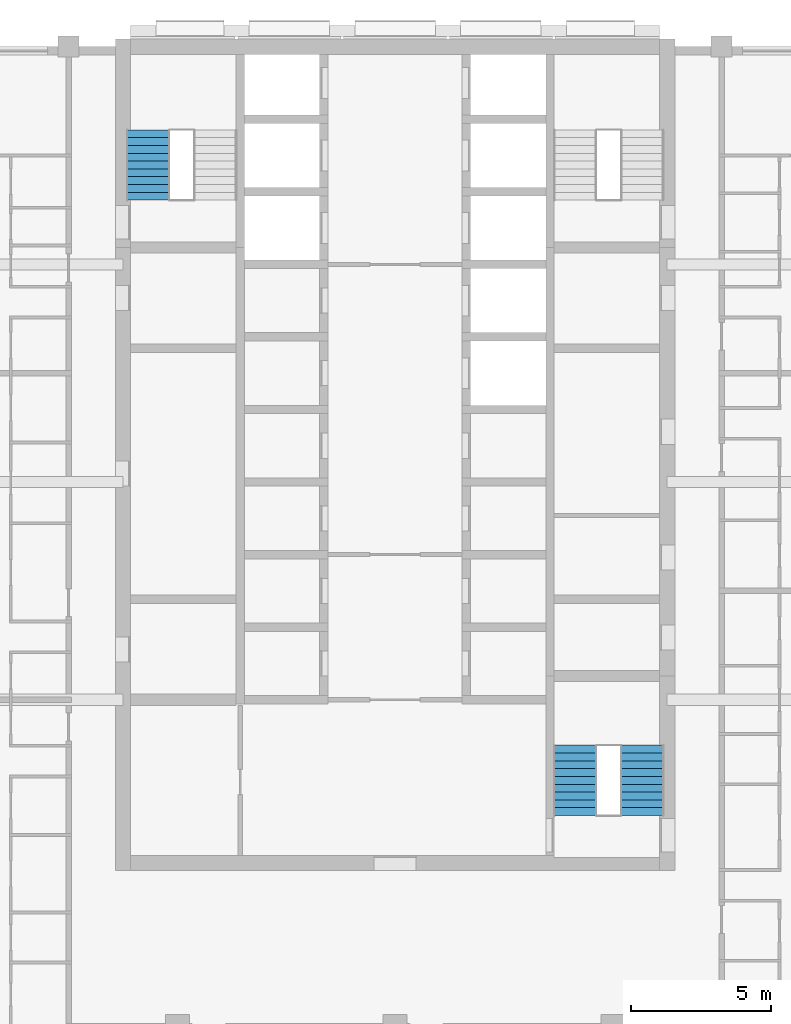
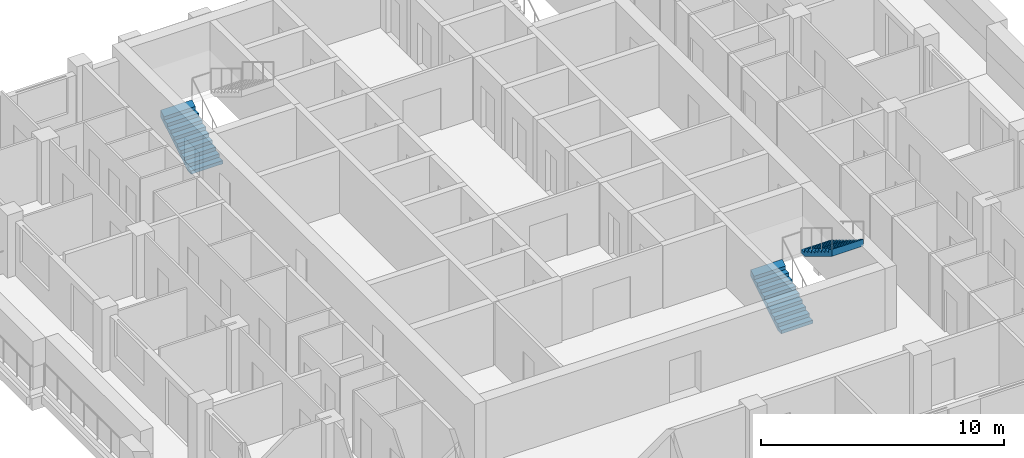
# One storey, part 10 of 13: 3 stair flights, 2 elements without a shape of their own.
"""IFC4 building model written with IfcOpenShell, lengths in metres."""

from ifc_helpers import new_model, si_unit, direction, frame, origin, place, context, subcontext, project, spatial, triangles, material, type_object, element, aggregate, save


model = new_model("IFC4")

# Units and contexts
model_context = context("Model", 3, precision=1e-05, world=origin(), true_north=direction((0.0, 1.0)))
body_context = subcontext(model_context, "Body", "Model", "MODEL_VIEW")
ifc_project = project(units=[si_unit("LENGTHUNIT", "METRE"), si_unit("AREAUNIT", "SQUARE_METRE"), si_unit("VOLUMEUNIT", "CUBIC_METRE"), si_unit("PLANEANGLEUNIT", "RADIAN"), si_unit("MASSUNIT", "GRAM", prefix="KILO")], contexts=[model_context])

# Site, building, storey
site_placement = place(None, origin())
site = spatial("IfcSite", under=ifc_project, at=site_placement, CompositionType="ELEMENT")
building_placement = place(site_placement, origin())
building = spatial("IfcBuilding", under=site, at=building_placement, Name="Ludao Terraces", CompositionType="ELEMENT")
storey_placement = place(building_placement, frame((0.0, 0.0, 148.60009765625)))
storey = spatial("IfcBuildingStorey", under=building, at=storey_placement, Name="L40", CompositionType="ELEMENT", Elevation=148.60009765625)

# Stair, stair flight
ifc_material = material(Name="Concrete C40", Category="concrete")
stair_type = type_object("IfcStairType", Name="INT Stair", PredefinedType="HALF_TURN_STAIR", material=ifc_material)
stair_1_placement = place(storey_placement, origin())
stair_1 = element("IfcStair", 1, at=stair_1_placement, inside=storey, type_object=stair_type, Name="EXIT STAIR 1", PredefinedType="HALF_TURN_STAIR")
stair_flight_type = type_object("IfcStairFlightType", Name="INT Stair flight", PredefinedType="STRAIGHT", material=ifc_material)
stair_flight_1_placement = place(storey_placement, frame((76.14990234375, 79.0, 0.0), z_axis=(0.0, 0.0, 1.0), x_axis=(0.0, 1.0, 0.0)))
stair_flight_1 = element("IfcStairFlight", 2, at=stair_flight_1_placement, type_object=stair_flight_type, Name="ST1 flight 1", NumberOfRisers=10, NumberOfTreads=9, PredefinedType="STRAIGHT", RiserHeight=0.17, TreadLength=0.28, context=body_context, shape_type="Tessellation", body=[
    triangles([(0.0, -0.75, 0.0), (0.0, -0.5, 0.0), (0.0, -0.25, 0.0), (0.0, 0.0, 0.0), (0.0, 0.25, 0.0), (0.0, 0.5, 0.0), (0.0, 0.75, 0.0), (0.0, -0.75, 0.169921875), (0.0, -0.5, 0.169921875), (0.0, -0.25, 0.169921875), (0.0, 0.0, 0.169921875), (0.0, 0.25, 0.169921875), (0.0, 0.5, 0.169921875), (0.0, 0.75, 0.169921875), (0.280029296875, -0.75, 0.169921875), (0.280029296875, -0.5, 0.169921875), (0.280029296875, -0.25, 0.169921875), (0.280029296875, 0.0, 0.169921875), (0.280029296875, 0.25, 0.169921875), (0.280029296875, 0.5, 0.169921875), (0.280029296875, 0.75, 0.169921875), (0.280029296875, -0.75, 0.340087890625), (0.280029296875, -0.5, 0.340087890625), (0.280029296875, -0.25, 0.340087890625), (0.280029296875, 0.0, 0.340087890625), (0.280029296875, 0.25, 0.340087890625), (0.280029296875, 0.5, 0.340087890625), (0.280029296875, 0.75, 0.340087890625), (0.56005859375, -0.75, 0.340087890625), (0.56005859375, -0.5, 0.340087890625), (0.56005859375, -0.25, 0.340087890625), (0.56005859375, 0.0, 0.340087890625), (0.56005859375, 0.25, 0.340087890625), (0.56005859375, 0.5, 0.340087890625), (0.56005859375, 0.75, 0.340087890625), (0.56005859375, -0.75, 0.510009765625), (0.56005859375, -0.5, 0.510009765625), (0.56005859375, -0.25, 0.510009765625), (0.56005859375, 0.0, 0.510009765625), (0.56005859375, 0.25, 0.510009765625), (0.56005859375, 0.5, 0.510009765625), (0.56005859375, 0.75, 0.510009765625), (0.840087890625, -0.75, 0.510009765625), (0.840087890625, -0.5, 0.510009765625), (0.840087890625, -0.25, 0.510009765625), (0.840087890625, 0.0, 0.510009765625), (0.840087890625, 0.25, 0.510009765625), (0.840087890625, 0.5, 0.510009765625), (0.840087890625, 0.75, 0.510009765625), (0.840087890625, -0.75, 0.679931640625), (0.840087890625, -0.5, 0.679931640625), (0.840087890625, -0.25, 0.679931640625), (0.840087890625, 0.0, 0.679931640625), (0.840087890625, 0.25, 0.679931640625), (0.840087890625, 0.5, 0.679931640625), (0.840087890625, 0.75, 0.679931640625), (1.1201171875, -0.75, 0.679931640625), (1.1201171875, -0.5, 0.679931640625), (1.1201171875, -0.25, 0.679931640625), (1.1201171875, 0.0, 0.679931640625), (1.1201171875, 0.25, 0.679931640625), (1.1201171875, 0.5, 0.679931640625), (1.1201171875, 0.75, 0.679931640625), (1.1201171875, -0.75, 0.85009765625), (1.1201171875, -0.5, 0.85009765625), (1.1201171875, -0.25, 0.85009765625), (1.1201171875, 0.0, 0.85009765625), (1.1201171875, 0.25, 0.85009765625), (1.1201171875, 0.5, 0.85009765625), (1.1201171875, 0.75, 0.85009765625), (1.39990234375, -0.75, 0.85009765625), (1.39990234375, -0.5, 0.85009765625), (1.39990234375, -0.25, 0.85009765625), (1.39990234375, 0.0, 0.85009765625), (1.39990234375, 0.25, 0.85009765625), (1.39990234375, 0.5, 0.85009765625), (1.39990234375, 0.75, 0.85009765625), (1.39990234375, -0.75, 1.02001953125), (1.39990234375, -0.5, 1.02001953125), (1.39990234375, -0.25, 1.02001953125), (1.39990234375, 0.0, 1.02001953125), (1.39990234375, 0.25, 1.02001953125), (1.39990234375, 0.5, 1.02001953125), (1.39990234375, 0.75, 1.02001953125), (1.679931640625, -0.75, 1.02001953125), (1.679931640625, -0.5, 1.02001953125), (1.679931640625, -0.25, 1.02001953125), (1.679931640625, 0.0, 1.02001953125), (1.679931640625, 0.25, 1.02001953125), (1.679931640625, 0.5, 1.02001953125), (1.679931640625, 0.75, 1.02001953125), (1.679931640625, -0.75, 1.18994140625), (1.679931640625, -0.5, 1.18994140625), (1.679931640625, -0.25, 1.18994140625), (1.679931640625, 0.0, 1.18994140625), (1.679931640625, 0.25, 1.18994140625), (1.679931640625, 0.5, 1.18994140625), (1.679931640625, 0.75, 1.18994140625), (1.9599609375, -0.75, 1.18994140625), (1.9599609375, -0.5, 1.18994140625), (1.9599609375, -0.25, 1.18994140625), (1.9599609375, 0.0, 1.18994140625), (1.9599609375, 0.25, 1.18994140625), (1.9599609375, 0.5, 1.18994140625), (1.9599609375, 0.75, 1.18994140625), (1.9599609375, -0.75, 1.360107421875), (1.9599609375, -0.5, 1.360107421875), (1.9599609375, -0.25, 1.360107421875), (1.9599609375, 0.0, 1.360107421875), (1.9599609375, 0.25, 1.360107421875), (1.9599609375, 0.5, 1.360107421875), (1.9599609375, 0.75, 1.360107421875), (2.239990234375, -0.75, 1.360107421875), (2.239990234375, -0.5, 1.360107421875), (2.239990234375, -0.25, 1.360107421875), (2.239990234375, 0.0, 1.360107421875), (2.239990234375, 0.25, 1.360107421875), (2.239990234375, 0.5, 1.360107421875), (2.239990234375, 0.75, 1.360107421875), (2.239990234375, -0.75, 1.530029296875), (2.239990234375, -0.5, 1.530029296875), (2.239990234375, -0.25, 1.530029296875), (2.239990234375, 0.0, 1.530029296875), (2.239990234375, 0.25, 1.530029296875), (2.239990234375, 0.5, 1.530029296875), (2.239990234375, 0.75, 1.530029296875), (2.52001953125, -0.75, 1.699951171875), (2.52001953125, -0.5, 1.699951171875), (2.52001953125, -0.25, 1.699951171875), (2.52001953125, 0.0, 1.699951171875), (2.52001953125, 0.25, 1.699951171875), (2.52001953125, 0.5, 1.699951171875), (2.52001953125, 0.75, 1.699951171875), (2.52001953125, -0.75, 1.354736328125), (2.52001953125, -0.5, 1.354736328125), (2.52001953125, -0.25, 1.354736328125), (2.52001953125, 0.0, 1.354736328125), (2.52001953125, 0.25, 1.354736328125), (2.52001953125, 0.5, 1.354736328125), (2.52001953125, 0.75, 1.354736328125), (0.288818359375, -0.75, 0.0), (0.288818359375, -0.5, 0.0), (0.288818359375, -0.25, 0.0), (0.288818359375, 0.0, 0.0), (0.288818359375, 0.25, 0.0), (0.288818359375, 0.5, 0.0), (0.288818359375, 0.75, 0.0)], [[1, 141, 134], [7, 140, 147], [134, 127, 120], [140, 126, 133], [134, 120, 113], [140, 119, 126], [134, 113, 106], [140, 112, 119], [134, 106, 99], [140, 105, 112], [99, 92, 85], [105, 91, 98], [134, 99, 85], [140, 91, 105], [85, 78, 71], [91, 77, 84], [134, 85, 71], [140, 77, 91], [71, 64, 57], [77, 63, 70], [134, 71, 57], [140, 63, 77], [57, 50, 43], [63, 49, 56], [134, 57, 43], [140, 49, 63], [43, 36, 29], [49, 35, 42], [134, 43, 29], [140, 35, 49], [29, 22, 15], [35, 21, 28], [134, 29, 15], [140, 21, 35], [1, 134, 15], [7, 21, 140], [15, 8, 1], [21, 7, 14], [1, 9, 2], [1, 8, 9], [2, 10, 3], [2, 9, 10], [3, 11, 4], [3, 10, 11], [4, 12, 5], [4, 11, 12], [5, 13, 6], [5, 12, 13], [6, 14, 7], [6, 13, 14], [8, 16, 9], [8, 15, 16], [9, 17, 10], [9, 16, 17], [10, 18, 11], [10, 17, 18], [11, 19, 12], [11, 18, 19], [12, 20, 13], [12, 19, 20], [13, 21, 14], [13, 20, 21], [15, 23, 16], [15, 22, 23], [16, 24, 17], [16, 23, 24], [17, 25, 18], [17, 24, 25], [18, 26, 19], [18, 25, 26], [19, 27, 20], [19, 26, 27], [20, 28, 21], [20, 27, 28], [22, 30, 23], [22, 29, 30], [23, 31, 24], [23, 30, 31], [24, 32, 25], [24, 31, 32], [25, 33, 26], [25, 32, 33], [26, 34, 27], [26, 33, 34], [27, 35, 28], [27, 34, 35], [29, 37, 30], [29, 36, 37], [30, 38, 31], [30, 37, 38], [31, 39, 32], [31, 38, 39], [32, 40, 33], [32, 39, 40], [33, 41, 34], [33, 40, 41], [34, 42, 35], [34, 41, 42], [36, 44, 37], [36, 43, 44], [37, 45, 38], [37, 44, 45], [38, 46, 39], [38, 45, 46], [39, 47, 40], [39, 46, 47], [40, 48, 41], [40, 47, 48], [41, 49, 42], [41, 48, 49], [43, 51, 44], [43, 50, 51], [44, 52, 45], [44, 51, 52], [45, 53, 46], [45, 52, 53], [46, 54, 47], [46, 53, 54], [47, 55, 48], [47, 54, 55], [48, 56, 49], [48, 55, 56], [50, 58, 51], [50, 57, 58], [51, 59, 52], [51, 58, 59], [52, 60, 53], [52, 59, 60], [53, 61, 54], [53, 60, 61], [54, 62, 55], [54, 61, 62], [55, 63, 56], [55, 62, 63], [57, 65, 58], [57, 64, 65], [58, 66, 59], [58, 65, 66], [59, 67, 60], [59, 66, 67], [60, 68, 61], [60, 67, 68], [61, 69, 62], [61, 68, 69], [62, 70, 63], [62, 69, 70], [64, 72, 65], [64, 71, 72], [65, 73, 66], [65, 72, 73], [66, 74, 67], [66, 73, 74], [67, 75, 68], [67, 74, 75], [68, 76, 69], [68, 75, 76], [69, 77, 70], [69, 76, 77], [71, 79, 72], [71, 78, 79], [72, 80, 73], [72, 79, 80], [73, 81, 74], [73, 80, 81], [74, 82, 75], [74, 81, 82], [75, 83, 76], [75, 82, 83], [76, 84, 77], [76, 83, 84], [78, 86, 79], [78, 85, 86], [79, 87, 80], [79, 86, 87], [80, 88, 81], [80, 87, 88], [81, 89, 82], [81, 88, 89], [82, 90, 83], [82, 89, 90], [83, 91, 84], [83, 90, 91], [85, 93, 86], [85, 92, 93], [86, 94, 87], [86, 93, 94], [87, 95, 88], [87, 94, 95], [88, 96, 89], [88, 95, 96], [89, 97, 90], [89, 96, 97], [90, 98, 91], [90, 97, 98], [92, 100, 93], [92, 99, 100], [93, 101, 94], [93, 100, 101], [94, 102, 95], [94, 101, 102], [95, 103, 96], [95, 102, 103], [96, 104, 97], [96, 103, 104], [97, 105, 98], [97, 104, 105], [99, 107, 100], [99, 106, 107], [100, 108, 101], [100, 107, 108], [101, 109, 102], [101, 108, 109], [102, 110, 103], [102, 109, 110], [103, 111, 104], [103, 110, 111], [104, 112, 105], [104, 111, 112], [106, 114, 107], [106, 113, 114], [107, 115, 108], [107, 114, 115], [108, 116, 109], [108, 115, 116], [109, 117, 110], [109, 116, 117], [110, 118, 111], [110, 117, 118], [111, 119, 112], [111, 118, 119], [113, 121, 114], [113, 120, 121], [114, 122, 115], [114, 121, 122], [115, 123, 116], [115, 122, 123], [116, 124, 117], [116, 123, 124], [117, 125, 118], [117, 124, 125], [118, 126, 119], [118, 125, 126], [120, 128, 121], [120, 127, 128], [121, 129, 122], [121, 128, 129], [122, 130, 123], [122, 129, 130], [123, 131, 124], [123, 130, 131], [124, 132, 125], [124, 131, 132], [125, 133, 126], [125, 132, 133], [127, 135, 128], [127, 134, 135], [128, 136, 129], [128, 135, 136], [129, 137, 130], [129, 136, 137], [130, 138, 131], [130, 137, 138], [131, 139, 132], [131, 138, 139], [132, 140, 133], [132, 139, 140], [134, 142, 135], [134, 141, 142], [135, 143, 136], [135, 142, 143], [136, 144, 137], [136, 143, 144], [137, 145, 138], [137, 144, 145], [138, 146, 139], [138, 145, 146], [139, 147, 140], [139, 146, 147], [141, 2, 142], [141, 1, 2], [142, 3, 143], [142, 2, 3], [143, 4, 144], [143, 3, 4], [144, 5, 145], [144, 4, 5], [145, 6, 146], [145, 5, 6], [146, 7, 147], [146, 6, 7]], closed=True),
])
aggregate(stair_1, [stair_flight_1])

# Stair, stair flights
stair_2_placement = place(storey_placement, origin())
stair_2 = element("IfcStair", 3, at=stair_2_placement, inside=storey, type_object=stair_type, Name="EXIT STAIR 3", PredefinedType="HALF_TURN_STAIR")
stair_flight_2_placement = place(storey_placement, frame((91.449951171875, 56.949951171875, 0.0), z_axis=(0.0, 0.0, 1.0), x_axis=(0.0, 1.0, 0.0)))
stair_flight_2 = element("IfcStairFlight", 4, at=stair_flight_2_placement, type_object=stair_flight_type, Name="ST3 flight 1", NumberOfRisers=10, NumberOfTreads=9, PredefinedType="STRAIGHT", RiserHeight=0.17, TreadLength=0.28, context=body_context, shape_type="Tessellation", body=[
    triangles([(0.0, -0.75, 0.0), (0.0, -0.5, 0.0), (0.0, -0.25, 0.0), (0.0, 0.0, 0.0), (0.0, 0.25, 0.0), (0.0, 0.5, 0.0), (0.0, 0.75, 0.0), (0.0, -0.75, 0.169921875), (0.0, -0.5, 0.169921875), (0.0, -0.25, 0.169921875), (0.0, 0.0, 0.169921875), (0.0, 0.25, 0.169921875), (0.0, 0.5, 0.169921875), (0.0, 0.75, 0.169921875), (0.280029296875, -0.75, 0.169921875), (0.280029296875, -0.5, 0.169921875), (0.280029296875, -0.25, 0.169921875), (0.280029296875, 0.0, 0.169921875), (0.280029296875, 0.25, 0.169921875), (0.280029296875, 0.5, 0.169921875), (0.280029296875, 0.75, 0.169921875), (0.280029296875, -0.75, 0.340087890625), (0.280029296875, -0.5, 0.340087890625), (0.280029296875, -0.25, 0.340087890625), (0.280029296875, 0.0, 0.340087890625), (0.280029296875, 0.25, 0.340087890625), (0.280029296875, 0.5, 0.340087890625), (0.280029296875, 0.75, 0.340087890625), (0.56005859375, -0.75, 0.340087890625), (0.56005859375, -0.5, 0.340087890625), (0.56005859375, -0.25, 0.340087890625), (0.56005859375, 0.0, 0.340087890625), (0.56005859375, 0.25, 0.340087890625), (0.56005859375, 0.5, 0.340087890625), (0.56005859375, 0.75, 0.340087890625), (0.56005859375, -0.75, 0.510009765625), (0.56005859375, -0.5, 0.510009765625), (0.56005859375, -0.25, 0.510009765625), (0.56005859375, 0.0, 0.510009765625), (0.56005859375, 0.25, 0.510009765625), (0.56005859375, 0.5, 0.510009765625), (0.56005859375, 0.75, 0.510009765625), (0.840087890625, -0.75, 0.510009765625), (0.840087890625, -0.5, 0.510009765625), (0.840087890625, -0.25, 0.510009765625), (0.840087890625, 0.0, 0.510009765625), (0.840087890625, 0.25, 0.510009765625), (0.840087890625, 0.5, 0.510009765625), (0.840087890625, 0.75, 0.510009765625), (0.840087890625, -0.75, 0.679931640625), (0.840087890625, -0.5, 0.679931640625), (0.840087890625, -0.25, 0.679931640625), (0.840087890625, 0.0, 0.679931640625), (0.840087890625, 0.25, 0.679931640625), (0.840087890625, 0.5, 0.679931640625), (0.840087890625, 0.75, 0.679931640625), (1.1201171875, -0.75, 0.679931640625), (1.1201171875, -0.5, 0.679931640625), (1.1201171875, -0.25, 0.679931640625), (1.1201171875, 0.0, 0.679931640625), (1.1201171875, 0.25, 0.679931640625), (1.1201171875, 0.5, 0.679931640625), (1.1201171875, 0.75, 0.679931640625), (1.1201171875, -0.75, 0.85009765625), (1.1201171875, -0.5, 0.85009765625), (1.1201171875, -0.25, 0.85009765625), (1.1201171875, 0.0, 0.85009765625), (1.1201171875, 0.25, 0.85009765625), (1.1201171875, 0.5, 0.85009765625), (1.1201171875, 0.75, 0.85009765625), (1.39990234375, -0.75, 0.85009765625), (1.39990234375, -0.5, 0.85009765625), (1.39990234375, -0.25, 0.85009765625), (1.39990234375, 0.0, 0.85009765625), (1.39990234375, 0.25, 0.85009765625), (1.39990234375, 0.5, 0.85009765625), (1.39990234375, 0.75, 0.85009765625), (1.39990234375, -0.75, 1.02001953125), (1.39990234375, -0.5, 1.02001953125), (1.39990234375, -0.25, 1.02001953125), (1.39990234375, 0.0, 1.02001953125), (1.39990234375, 0.25, 1.02001953125), (1.39990234375, 0.5, 1.02001953125), (1.39990234375, 0.75, 1.02001953125), (1.679931640625, -0.75, 1.02001953125), (1.679931640625, -0.5, 1.02001953125), (1.679931640625, -0.25, 1.02001953125), (1.679931640625, 0.0, 1.02001953125), (1.679931640625, 0.25, 1.02001953125), (1.679931640625, 0.5, 1.02001953125), (1.679931640625, 0.75, 1.02001953125), (1.679931640625, -0.75, 1.18994140625), (1.679931640625, -0.5, 1.18994140625), (1.679931640625, -0.25, 1.18994140625), (1.679931640625, 0.0, 1.18994140625), (1.679931640625, 0.25, 1.18994140625), (1.679931640625, 0.5, 1.18994140625), (1.679931640625, 0.75, 1.18994140625), (1.9599609375, -0.75, 1.18994140625), (1.9599609375, -0.5, 1.18994140625), (1.9599609375, -0.25, 1.18994140625), (1.9599609375, 0.0, 1.18994140625), (1.9599609375, 0.25, 1.18994140625), (1.9599609375, 0.5, 1.18994140625), (1.9599609375, 0.75, 1.18994140625), (1.9599609375, -0.75, 1.360107421875), (1.9599609375, -0.5, 1.360107421875), (1.9599609375, -0.25, 1.360107421875), (1.9599609375, 0.0, 1.360107421875), (1.9599609375, 0.25, 1.360107421875), (1.9599609375, 0.5, 1.360107421875), (1.9599609375, 0.75, 1.360107421875), (2.239990234375, -0.75, 1.360107421875), (2.239990234375, -0.5, 1.360107421875), (2.239990234375, -0.25, 1.360107421875), (2.239990234375, 0.0, 1.360107421875), (2.239990234375, 0.25, 1.360107421875), (2.239990234375, 0.5, 1.360107421875), (2.239990234375, 0.75, 1.360107421875), (2.239990234375, -0.75, 1.530029296875), (2.239990234375, -0.5, 1.530029296875), (2.239990234375, -0.25, 1.530029296875), (2.239990234375, 0.0, 1.530029296875), (2.239990234375, 0.25, 1.530029296875), (2.239990234375, 0.5, 1.530029296875), (2.239990234375, 0.75, 1.530029296875), (2.52001953125, -0.75, 1.699951171875), (2.52001953125, -0.5, 1.699951171875), (2.52001953125, -0.25, 1.699951171875), (2.52001953125, 0.0, 1.699951171875), (2.52001953125, 0.25, 1.699951171875), (2.52001953125, 0.5, 1.699951171875), (2.52001953125, 0.75, 1.699951171875), (2.52001953125, -0.75, 1.354736328125), (2.52001953125, -0.5, 1.354736328125), (2.52001953125, -0.25, 1.354736328125), (2.52001953125, 0.0, 1.354736328125), (2.52001953125, 0.25, 1.354736328125), (2.52001953125, 0.5, 1.354736328125), (2.52001953125, 0.75, 1.354736328125), (0.288818359375, -0.75, 0.0), (0.288818359375, -0.5, 0.0), (0.288818359375, -0.25, 0.0), (0.288818359375, 0.0, 0.0), (0.288818359375, 0.25, 0.0), (0.288818359375, 0.5, 0.0), (0.288818359375, 0.75, 0.0)], [[1, 141, 134], [7, 140, 147], [134, 127, 120], [140, 126, 133], [134, 120, 113], [140, 119, 126], [134, 113, 106], [140, 112, 119], [134, 106, 99], [140, 105, 112], [99, 92, 85], [105, 91, 98], [134, 99, 85], [140, 91, 105], [85, 78, 71], [91, 77, 84], [134, 85, 71], [140, 77, 91], [71, 64, 57], [77, 63, 70], [134, 71, 57], [140, 63, 77], [57, 50, 43], [63, 49, 56], [134, 57, 43], [140, 49, 63], [43, 36, 29], [49, 35, 42], [134, 43, 29], [140, 35, 49], [29, 22, 15], [35, 21, 28], [134, 29, 15], [140, 21, 35], [1, 134, 15], [7, 21, 140], [15, 8, 1], [21, 7, 14], [1, 9, 2], [1, 8, 9], [2, 10, 3], [2, 9, 10], [3, 11, 4], [3, 10, 11], [4, 12, 5], [4, 11, 12], [5, 13, 6], [5, 12, 13], [6, 14, 7], [6, 13, 14], [8, 16, 9], [8, 15, 16], [9, 17, 10], [9, 16, 17], [10, 18, 11], [10, 17, 18], [11, 19, 12], [11, 18, 19], [12, 20, 13], [12, 19, 20], [13, 21, 14], [13, 20, 21], [15, 23, 16], [15, 22, 23], [16, 24, 17], [16, 23, 24], [17, 25, 18], [17, 24, 25], [18, 26, 19], [18, 25, 26], [19, 27, 20], [19, 26, 27], [20, 28, 21], [20, 27, 28], [22, 30, 23], [22, 29, 30], [23, 31, 24], [23, 30, 31], [24, 32, 25], [24, 31, 32], [25, 33, 26], [25, 32, 33], [26, 34, 27], [26, 33, 34], [27, 35, 28], [27, 34, 35], [29, 37, 30], [29, 36, 37], [30, 38, 31], [30, 37, 38], [31, 39, 32], [31, 38, 39], [32, 40, 33], [32, 39, 40], [33, 41, 34], [33, 40, 41], [34, 42, 35], [34, 41, 42], [36, 44, 37], [36, 43, 44], [37, 45, 38], [37, 44, 45], [38, 46, 39], [38, 45, 46], [39, 47, 40], [39, 46, 47], [40, 48, 41], [40, 47, 48], [41, 49, 42], [41, 48, 49], [43, 51, 44], [43, 50, 51], [44, 52, 45], [44, 51, 52], [45, 53, 46], [45, 52, 53], [46, 54, 47], [46, 53, 54], [47, 55, 48], [47, 54, 55], [48, 56, 49], [48, 55, 56], [50, 58, 51], [50, 57, 58], [51, 59, 52], [51, 58, 59], [52, 60, 53], [52, 59, 60], [53, 61, 54], [53, 60, 61], [54, 62, 55], [54, 61, 62], [55, 63, 56], [55, 62, 63], [57, 65, 58], [57, 64, 65], [58, 66, 59], [58, 65, 66], [59, 67, 60], [59, 66, 67], [60, 68, 61], [60, 67, 68], [61, 69, 62], [61, 68, 69], [62, 70, 63], [62, 69, 70], [64, 72, 65], [64, 71, 72], [65, 73, 66], [65, 72, 73], [66, 74, 67], [66, 73, 74], [67, 75, 68], [67, 74, 75], [68, 76, 69], [68, 75, 76], [69, 77, 70], [69, 76, 77], [71, 79, 72], [71, 78, 79], [72, 80, 73], [72, 79, 80], [73, 81, 74], [73, 80, 81], [74, 82, 75], [74, 81, 82], [75, 83, 76], [75, 82, 83], [76, 84, 77], [76, 83, 84], [78, 86, 79], [78, 85, 86], [79, 87, 80], [79, 86, 87], [80, 88, 81], [80, 87, 88], [81, 89, 82], [81, 88, 89], [82, 90, 83], [82, 89, 90], [83, 91, 84], [83, 90, 91], [85, 93, 86], [85, 92, 93], [86, 94, 87], [86, 93, 94], [87, 95, 88], [87, 94, 95], [88, 96, 89], [88, 95, 96], [89, 97, 90], [89, 96, 97], [90, 98, 91], [90, 97, 98], [92, 100, 93], [92, 99, 100], [93, 101, 94], [93, 100, 101], [94, 102, 95], [94, 101, 102], [95, 103, 96], [95, 102, 103], [96, 104, 97], [96, 103, 104], [97, 105, 98], [97, 104, 105], [99, 107, 100], [99, 106, 107], [100, 108, 101], [100, 107, 108], [101, 109, 102], [101, 108, 109], [102, 110, 103], [102, 109, 110], [103, 111, 104], [103, 110, 111], [104, 112, 105], [104, 111, 112], [106, 114, 107], [106, 113, 114], [107, 115, 108], [107, 114, 115], [108, 116, 109], [108, 115, 116], [109, 117, 110], [109, 116, 117], [110, 118, 111], [110, 117, 118], [111, 119, 112], [111, 118, 119], [113, 121, 114], [113, 120, 121], [114, 122, 115], [114, 121, 122], [115, 123, 116], [115, 122, 123], [116, 124, 117], [116, 123, 124], [117, 125, 118], [117, 124, 125], [118, 126, 119], [118, 125, 126], [120, 128, 121], [120, 127, 128], [121, 129, 122], [121, 128, 129], [122, 130, 123], [122, 129, 130], [123, 131, 124], [123, 130, 131], [124, 132, 125], [124, 131, 132], [125, 133, 126], [125, 132, 133], [127, 135, 128], [127, 134, 135], [128, 136, 129], [128, 135, 136], [129, 137, 130], [129, 136, 137], [130, 138, 131], [130, 137, 138], [131, 139, 132], [131, 138, 139], [132, 140, 133], [132, 139, 140], [134, 142, 135], [134, 141, 142], [135, 143, 136], [135, 142, 143], [136, 144, 137], [136, 143, 144], [137, 145, 138], [137, 144, 145], [138, 146, 139], [138, 145, 146], [139, 147, 140], [139, 146, 147], [141, 2, 142], [141, 1, 2], [142, 3, 143], [142, 2, 3], [143, 4, 144], [143, 3, 4], [144, 5, 145], [144, 4, 5], [145, 6, 146], [145, 5, 6], [146, 7, 147], [146, 6, 7]], closed=True),
])
stair_flight_3_placement = place(storey_placement, frame((93.85009765625, 59.469970703125, 1.699951171875), z_axis=(0.0, 0.0, 1.0), x_axis=(0.0, -1.0, 0.0)))
stair_flight_3 = element("IfcStairFlight", 5, at=stair_flight_3_placement, type_object=stair_flight_type, Name="ST3 flight 2", NumberOfRisers=10, NumberOfTreads=9, PredefinedType="STRAIGHT", RiserHeight=0.17, TreadLength=0.28, context=body_context, shape_type="Tessellation", body=[
    triangles([(0.0, -0.75, 0.0), (0.0, -0.5, 0.0), (0.0, -0.25, 0.0), (0.0, 0.0, 0.0), (0.0, 0.25, 0.0), (0.0, 0.5, 0.0), (0.0, 0.75, 0.0), (0.0, -0.75, 0.169921875), (0.0, -0.5, 0.169921875), (0.0, -0.25, 0.169921875), (0.0, 0.0, 0.169921875), (0.0, 0.25, 0.169921875), (0.0, 0.5, 0.169921875), (0.0, 0.75, 0.169921875), (0.280029296875, -0.75, 0.169921875), (0.280029296875, -0.5, 0.169921875), (0.280029296875, -0.25, 0.169921875), (0.280029296875, 0.0, 0.169921875), (0.280029296875, 0.25, 0.169921875), (0.280029296875, 0.5, 0.169921875), (0.280029296875, 0.75, 0.169921875), (0.280029296875, -0.75, 0.340087890625), (0.280029296875, -0.5, 0.340087890625), (0.280029296875, -0.25, 0.340087890625), (0.280029296875, 0.0, 0.340087890625), (0.280029296875, 0.25, 0.340087890625), (0.280029296875, 0.5, 0.340087890625), (0.280029296875, 0.75, 0.340087890625), (0.56005859375, -0.75, 0.340087890625), (0.56005859375, -0.5, 0.340087890625), (0.56005859375, -0.25, 0.340087890625), (0.56005859375, 0.0, 0.340087890625), (0.56005859375, 0.25, 0.340087890625), (0.56005859375, 0.5, 0.340087890625), (0.56005859375, 0.75, 0.340087890625), (0.56005859375, -0.75, 0.510009765625), (0.56005859375, -0.5, 0.510009765625), (0.56005859375, -0.25, 0.510009765625), (0.56005859375, 0.0, 0.510009765625), (0.56005859375, 0.25, 0.510009765625), (0.56005859375, 0.5, 0.510009765625), (0.56005859375, 0.75, 0.510009765625), (0.840087890625, -0.75, 0.510009765625), (0.840087890625, -0.5, 0.510009765625), (0.840087890625, -0.25, 0.510009765625), (0.840087890625, 0.0, 0.510009765625), (0.840087890625, 0.25, 0.510009765625), (0.840087890625, 0.5, 0.510009765625), (0.840087890625, 0.75, 0.510009765625), (0.840087890625, -0.75, 0.679931640625), (0.840087890625, -0.5, 0.679931640625), (0.840087890625, -0.25, 0.679931640625), (0.840087890625, 0.0, 0.679931640625), (0.840087890625, 0.25, 0.679931640625), (0.840087890625, 0.5, 0.679931640625), (0.840087890625, 0.75, 0.679931640625), (1.1201171875, -0.75, 0.679931640625), (1.1201171875, -0.5, 0.679931640625), (1.1201171875, -0.25, 0.679931640625), (1.1201171875, 0.0, 0.679931640625), (1.1201171875, 0.25, 0.679931640625), (1.1201171875, 0.5, 0.679931640625), (1.1201171875, 0.75, 0.679931640625), (1.1201171875, -0.75, 0.85009765625), (1.1201171875, -0.5, 0.85009765625), (1.1201171875, -0.25, 0.85009765625), (1.1201171875, 0.0, 0.85009765625), (1.1201171875, 0.25, 0.85009765625), (1.1201171875, 0.5, 0.85009765625), (1.1201171875, 0.75, 0.85009765625), (1.39990234375, -0.75, 0.85009765625), (1.39990234375, -0.5, 0.85009765625), (1.39990234375, -0.25, 0.85009765625), (1.39990234375, 0.0, 0.85009765625), (1.39990234375, 0.25, 0.85009765625), (1.39990234375, 0.5, 0.85009765625), (1.39990234375, 0.75, 0.85009765625), (1.39990234375, -0.75, 1.02001953125), (1.39990234375, -0.5, 1.02001953125), (1.39990234375, -0.25, 1.02001953125), (1.39990234375, 0.0, 1.02001953125), (1.39990234375, 0.25, 1.02001953125), (1.39990234375, 0.5, 1.02001953125), (1.39990234375, 0.75, 1.02001953125), (1.679931640625, -0.75, 1.02001953125), (1.679931640625, -0.5, 1.02001953125), (1.679931640625, -0.25, 1.02001953125), (1.679931640625, 0.0, 1.02001953125), (1.679931640625, 0.25, 1.02001953125), (1.679931640625, 0.5, 1.02001953125), (1.679931640625, 0.75, 1.02001953125), (1.679931640625, -0.75, 1.18994140625), (1.679931640625, -0.5, 1.18994140625), (1.679931640625, -0.25, 1.18994140625), (1.679931640625, 0.0, 1.18994140625), (1.679931640625, 0.25, 1.18994140625), (1.679931640625, 0.5, 1.18994140625), (1.679931640625, 0.75, 1.18994140625), (1.9599609375, -0.75, 1.18994140625), (1.9599609375, -0.5, 1.18994140625), (1.9599609375, -0.25, 1.18994140625), (1.9599609375, 0.0, 1.18994140625), (1.9599609375, 0.25, 1.18994140625), (1.9599609375, 0.5, 1.18994140625), (1.9599609375, 0.75, 1.18994140625), (1.9599609375, -0.75, 1.360107421875), (1.9599609375, -0.5, 1.360107421875), (1.9599609375, -0.25, 1.360107421875), (1.9599609375, 0.0, 1.360107421875), (1.9599609375, 0.25, 1.360107421875), (1.9599609375, 0.5, 1.360107421875), (1.9599609375, 0.75, 1.360107421875), (2.239990234375, -0.75, 1.360107421875), (2.239990234375, -0.5, 1.360107421875), (2.239990234375, -0.25, 1.360107421875), (2.239990234375, 0.0, 1.360107421875), (2.239990234375, 0.25, 1.360107421875), (2.239990234375, 0.5, 1.360107421875), (2.239990234375, 0.75, 1.360107421875), (2.239990234375, -0.75, 1.530029296875), (2.239990234375, -0.5, 1.530029296875), (2.239990234375, -0.25, 1.530029296875), (2.239990234375, 0.0, 1.530029296875), (2.239990234375, 0.25, 1.530029296875), (2.239990234375, 0.5, 1.530029296875), (2.239990234375, 0.75, 1.530029296875), (2.52001953125, -0.75, 1.699951171875), (2.52001953125, -0.5, 1.699951171875), (2.52001953125, -0.25, 1.699951171875), (2.52001953125, 0.0, 1.699951171875), (2.52001953125, 0.25, 1.699951171875), (2.52001953125, 0.5, 1.699951171875), (2.52001953125, 0.75, 1.699951171875), (2.52001953125, -0.75, 1.354736328125), (2.52001953125, -0.5, 1.354736328125), (2.52001953125, -0.25, 1.354736328125), (2.52001953125, 0.0, 1.354736328125), (2.52001953125, 0.25, 1.354736328125), (2.52001953125, 0.5, 1.354736328125), (2.52001953125, 0.75, 1.354736328125), (0.288818359375, -0.75, 0.0), (0.288818359375, -0.5, 0.0), (0.288818359375, -0.25, 0.0), (0.288818359375, 0.0, 0.0), (0.288818359375, 0.25, 0.0), (0.288818359375, 0.5, 0.0), (0.288818359375, 0.75, 0.0)], [[1, 141, 134], [7, 140, 147], [134, 127, 120], [140, 126, 133], [134, 120, 113], [140, 119, 126], [134, 113, 106], [140, 112, 119], [134, 106, 99], [140, 105, 112], [99, 92, 85], [105, 91, 98], [134, 99, 85], [140, 91, 105], [85, 78, 71], [91, 77, 84], [134, 85, 71], [140, 77, 91], [71, 64, 57], [77, 63, 70], [134, 71, 57], [140, 63, 77], [57, 50, 43], [63, 49, 56], [134, 57, 43], [140, 49, 63], [43, 36, 29], [49, 35, 42], [134, 43, 29], [140, 35, 49], [29, 22, 15], [35, 21, 28], [134, 29, 15], [140, 21, 35], [1, 134, 15], [7, 21, 140], [15, 8, 1], [21, 7, 14], [1, 9, 2], [1, 8, 9], [2, 10, 3], [2, 9, 10], [3, 11, 4], [3, 10, 11], [4, 12, 5], [4, 11, 12], [5, 13, 6], [5, 12, 13], [6, 14, 7], [6, 13, 14], [8, 16, 9], [8, 15, 16], [9, 17, 10], [9, 16, 17], [10, 18, 11], [10, 17, 18], [11, 19, 12], [11, 18, 19], [12, 20, 13], [12, 19, 20], [13, 21, 14], [13, 20, 21], [15, 23, 16], [15, 22, 23], [16, 24, 17], [16, 23, 24], [17, 25, 18], [17, 24, 25], [18, 26, 19], [18, 25, 26], [19, 27, 20], [19, 26, 27], [20, 28, 21], [20, 27, 28], [22, 30, 23], [22, 29, 30], [23, 31, 24], [23, 30, 31], [24, 32, 25], [24, 31, 32], [25, 33, 26], [25, 32, 33], [26, 34, 27], [26, 33, 34], [27, 35, 28], [27, 34, 35], [29, 37, 30], [29, 36, 37], [30, 38, 31], [30, 37, 38], [31, 39, 32], [31, 38, 39], [32, 40, 33], [32, 39, 40], [33, 41, 34], [33, 40, 41], [34, 42, 35], [34, 41, 42], [36, 44, 37], [36, 43, 44], [37, 45, 38], [37, 44, 45], [38, 46, 39], [38, 45, 46], [39, 47, 40], [39, 46, 47], [40, 48, 41], [40, 47, 48], [41, 49, 42], [41, 48, 49], [43, 51, 44], [43, 50, 51], [44, 52, 45], [44, 51, 52], [45, 53, 46], [45, 52, 53], [46, 54, 47], [46, 53, 54], [47, 55, 48], [47, 54, 55], [48, 56, 49], [48, 55, 56], [50, 58, 51], [50, 57, 58], [51, 59, 52], [51, 58, 59], [52, 60, 53], [52, 59, 60], [53, 61, 54], [53, 60, 61], [54, 62, 55], [54, 61, 62], [55, 63, 56], [55, 62, 63], [57, 65, 58], [57, 64, 65], [58, 66, 59], [58, 65, 66], [59, 67, 60], [59, 66, 67], [60, 68, 61], [60, 67, 68], [61, 69, 62], [61, 68, 69], [62, 70, 63], [62, 69, 70], [64, 72, 65], [64, 71, 72], [65, 73, 66], [65, 72, 73], [66, 74, 67], [66, 73, 74], [67, 75, 68], [67, 74, 75], [68, 76, 69], [68, 75, 76], [69, 77, 70], [69, 76, 77], [71, 79, 72], [71, 78, 79], [72, 80, 73], [72, 79, 80], [73, 81, 74], [73, 80, 81], [74, 82, 75], [74, 81, 82], [75, 83, 76], [75, 82, 83], [76, 84, 77], [76, 83, 84], [78, 86, 79], [78, 85, 86], [79, 87, 80], [79, 86, 87], [80, 88, 81], [80, 87, 88], [81, 89, 82], [81, 88, 89], [82, 90, 83], [82, 89, 90], [83, 91, 84], [83, 90, 91], [85, 93, 86], [85, 92, 93], [86, 94, 87], [86, 93, 94], [87, 95, 88], [87, 94, 95], [88, 96, 89], [88, 95, 96], [89, 97, 90], [89, 96, 97], [90, 98, 91], [90, 97, 98], [92, 100, 93], [92, 99, 100], [93, 101, 94], [93, 100, 101], [94, 102, 95], [94, 101, 102], [95, 103, 96], [95, 102, 103], [96, 104, 97], [96, 103, 104], [97, 105, 98], [97, 104, 105], [99, 107, 100], [99, 106, 107], [100, 108, 101], [100, 107, 108], [101, 109, 102], [101, 108, 109], [102, 110, 103], [102, 109, 110], [103, 111, 104], [103, 110, 111], [104, 112, 105], [104, 111, 112], [106, 114, 107], [106, 113, 114], [107, 115, 108], [107, 114, 115], [108, 116, 109], [108, 115, 116], [109, 117, 110], [109, 116, 117], [110, 118, 111], [110, 117, 118], [111, 119, 112], [111, 118, 119], [113, 121, 114], [113, 120, 121], [114, 122, 115], [114, 121, 122], [115, 123, 116], [115, 122, 123], [116, 124, 117], [116, 123, 124], [117, 125, 118], [117, 124, 125], [118, 126, 119], [118, 125, 126], [120, 128, 121], [120, 127, 128], [121, 129, 122], [121, 128, 129], [122, 130, 123], [122, 129, 130], [123, 131, 124], [123, 130, 131], [124, 132, 125], [124, 131, 132], [125, 133, 126], [125, 132, 133], [127, 135, 128], [127, 134, 135], [128, 136, 129], [128, 135, 136], [129, 137, 130], [129, 136, 137], [130, 138, 131], [130, 137, 138], [131, 139, 132], [131, 138, 139], [132, 140, 133], [132, 139, 140], [134, 142, 135], [134, 141, 142], [135, 143, 136], [135, 142, 143], [136, 144, 137], [136, 143, 144], [137, 145, 138], [137, 144, 145], [138, 146, 139], [138, 145, 146], [139, 147, 140], [139, 146, 147], [141, 2, 142], [141, 1, 2], [142, 3, 143], [142, 2, 3], [143, 4, 144], [143, 3, 4], [144, 5, 145], [144, 4, 5], [145, 6, 146], [145, 5, 6], [146, 7, 147], [146, 6, 7]], closed=True),
])
aggregate(stair_2, [stair_flight_2, stair_flight_3])

save(model, "model.ifc")
